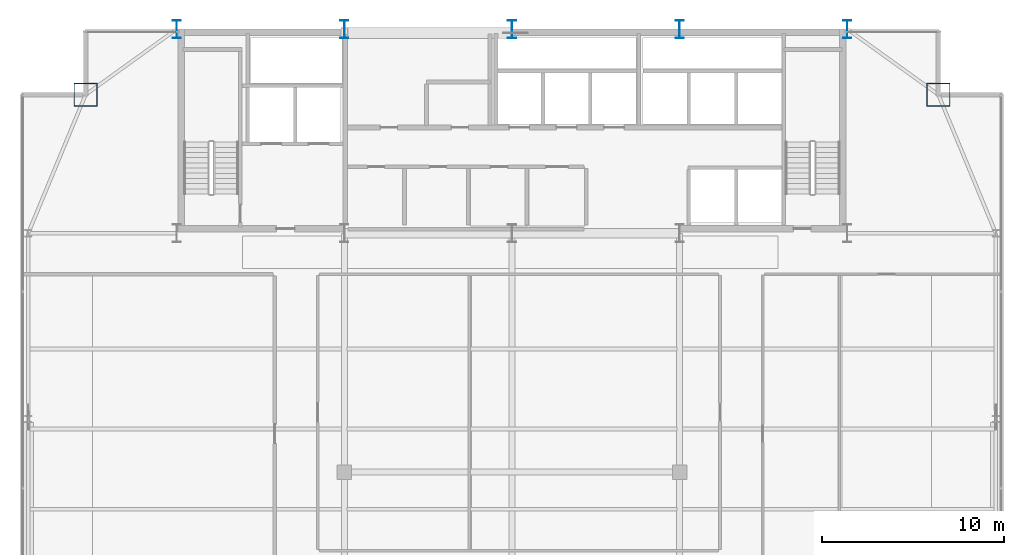
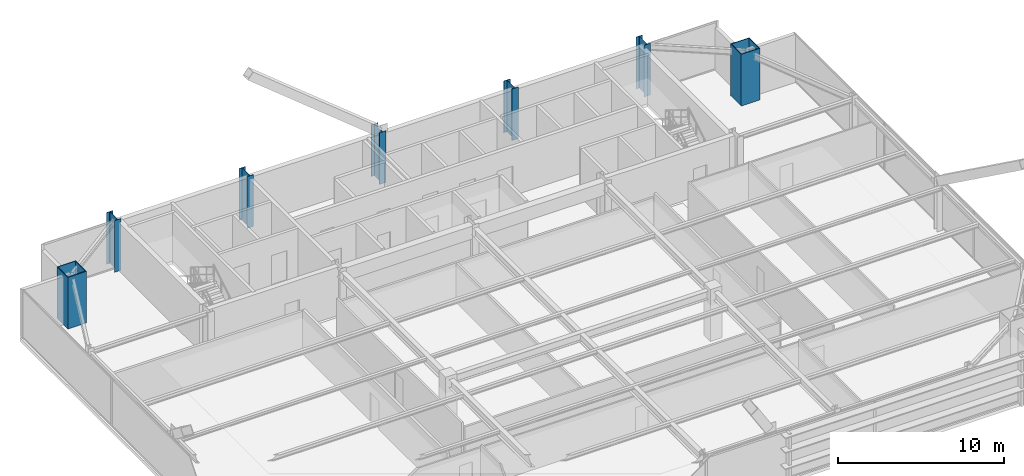
# One storey, part 3 of 30: 7 columns.
"""IFC4 building model written with IfcOpenShell, lengths in metres."""

import ifcopenshell
import ifcopenshell.guid

model = None  # the IFC model being written
_history = None  # IfcOwnerHistory: only IFC2X3 demands one
_inside = {}  # id of a spatial element -> (the spatial element, [elements in it])
_under = {}  # id of a project, library or spatial element -> (it, [spatial elements below it])
_declared = {}  # id of a project -> (the project, [libraries it declares])
_typed = {}  # id of a type object -> (the type object, [elements of that type])
_made_of = {}  # id of a material, layer set ... -> (it, [elements and type objects made of it])


def new_model(schema):
    """Start an empty IFC model of exactly this schema.

    Asked for "IFC4X3", IfcOpenShell would pick the latest addendum, in which some entities
    have other attributes; the version numbers below select the first issue.
    IFC2X3 requires an IfcOwnerHistory on every rooted entity: one is made here for all.
    """
    global model, _history
    if schema == "IFC4X3":
        model = ifcopenshell.file(schema_version=(4, 3, 0, 0))
    else:
        model = ifcopenshell.file(schema=schema)
    _inside.clear()
    _under.clear()
    _declared.clear()
    _typed.clear()
    _made_of.clear()
    _history = None
    if model.schema == "IFC2X3":
        org = make("IfcOrganization", Name="unknown")
        user = make(
            "IfcPersonAndOrganization",
            ThePerson=make("IfcPerson", FamilyName="unknown"),
            TheOrganization=org,
        )
        app = make(
            "IfcApplication",
            ApplicationDeveloper=org,
            Version="unknown",
            ApplicationFullName="unknown",
            ApplicationIdentifier="unknown",
        )
        _history = make(
            "IfcOwnerHistory",
            OwningUser=user,
            OwningApplication=app,
            ChangeAction="ADDED",
            CreationDate=0,
        )
    return model


def make(cls, **values):
    """One entity of the class cls with the attributes given. An attribute that is None is left unset."""
    return model.create_entity(
        cls, **{name: value for name, value in values.items() if value is not None}
    )


def rooted(cls, **values):
    """An entity with a GlobalId (a new one), such as an element, a storey or a relation."""
    return make(cls, GlobalId=ifcopenshell.guid.new(), OwnerHistory=_history, **values)


def si_unit(unit_type, name, prefix=None):
    """IfcSIUnit, for example si_unit("LENGTHUNIT", "METRE", prefix="MILLI")."""
    return make("IfcSIUnit", UnitType=unit_type, Prefix=prefix, Name=name)


def assignment(units):
    """IfcUnitAssignment: the units of a project."""
    return None if units is None else make("IfcUnitAssignment", Units=units)


def point(xyz):
    """IfcCartesianPoint."""
    return None if xyz is None else make("IfcCartesianPoint", Coordinates=xyz)


def direction(xyz):
    """IfcDirection."""
    return None if xyz is None else make("IfcDirection", DirectionRatios=xyz)


def frame(location, z_axis=None, x_axis=None):
    """IfcAxis2Placement3D, a coordinate frame: its origin and axes. An axis left out is left unset."""
    return make(
        "IfcAxis2Placement3D",
        Location=point(location),
        Axis=direction(z_axis),
        RefDirection=direction(x_axis),
    )


def frame_2d(location, x_axis=None):
    """IfcAxis2Placement2D, a coordinate frame in the plane: its origin and x axis."""
    return make(
        "IfcAxis2Placement2D", Location=point(location), RefDirection=direction(x_axis)
    )


def origin():
    """The frame at (0, 0, 0) with its axes left unset."""
    return frame((0.0, 0.0, 0.0))


def origin_2d():
    """The frame at (0, 0) in the plane with its x axis left unset."""
    return frame_2d((0.0, 0.0))


def place(relative_to, where):
    """IfcLocalPlacement: puts the frame where relative to a parent placement (None: the world)."""
    return make(
        "IfcLocalPlacement", PlacementRelTo=relative_to, RelativePlacement=where
    )


def context(
    kind, dimensions, precision=None, world=None, true_north=None, identifier=None
):
    """IfcGeometricRepresentationContext, for example the 3D "Model" context."""
    return make(
        "IfcGeometricRepresentationContext",
        ContextIdentifier=identifier,
        ContextType=kind,
        CoordinateSpaceDimension=dimensions,
        Precision=precision,
        WorldCoordinateSystem=world,
        TrueNorth=true_north,
    )


def subcontext(parent, identifier, kind, view, scale=None):
    """IfcGeometricRepresentationSubContext, for example "Body" below "Model"."""
    return make(
        "IfcGeometricRepresentationSubContext",
        ContextIdentifier=identifier,
        ContextType=kind,
        ParentContext=parent,
        TargetScale=scale,
        TargetView=view,
    )


def project(units=None, contexts=None):
    """IfcProject with its units and contexts."""
    return rooted(
        "IfcProject",
        Name="project",
        RepresentationContexts=contexts,
        UnitsInContext=assignment(units),
    )


def spatial(cls, under=None, at=None, **own):
    """A site, building, storey or space (cls), placed at a placement, below another one or the project."""
    s = rooted(cls, ObjectPlacement=at, **own)
    if under is not None:
        _under.setdefault(under.id(), (under, []))[1].append(s)
    return s


def profile(cls, at=None, kind="AREA", **sizes):
    """A parametric profile (cls). Its sizes go by their IFC names, for example OverallWidth=200.0."""
    return make(cls, ProfileType=kind, Position=at, **sizes)


def hollow_rectangle(**sizes):
    """IfcRectangleHollowProfileDef."""
    return profile("IfcRectangleHollowProfileDef", **sizes)


def i_section(**sizes):
    """IfcIShapeProfileDef."""
    return profile("IfcIShapeProfileDef", **sizes)


def extrude(swept, where, along, depth):
    """IfcExtrudedAreaSolid: the profile swept, set in the frame where, extruded along a direction by depth."""
    return make(
        "IfcExtrudedAreaSolid",
        SweptArea=swept,
        Position=where,
        ExtrudedDirection=direction(along),
        Depth=depth,
    )


def shape(context_of_items, identifier, shape_type, items):
    """IfcShapeRepresentation: the items that make up one representation, for example the "Body"."""
    return make(
        "IfcShapeRepresentation",
        ContextOfItems=context_of_items,
        RepresentationIdentifier=identifier,
        RepresentationType=shape_type,
        Items=items,
    )


def source(mapping_origin, context_of_items, identifier, shape_type, items):
    """IfcRepresentationMap: a shape defined once, which mapped items show again and again."""
    return make(
        "IfcRepresentationMap",
        MappingOrigin=mapping_origin,
        MappedRepresentation=shape(context_of_items, identifier, shape_type, items),
    )


def transform(
    local_origin,
    x_axis=None,
    y_axis=None,
    z_axis=None,
    scale=None,
    scale2=None,
    scale3=None,
    uniform=True,
):
    """IfcCartesianTransformationOperator3D, or its non-uniform kind. x_axis, y_axis, z_axis: its Axis1, 2, 3."""
    if uniform:
        return make(
            "IfcCartesianTransformationOperator3D",
            Axis1=direction(x_axis),
            Axis2=direction(y_axis),
            LocalOrigin=point(local_origin),
            Scale=scale,
            Axis3=direction(z_axis),
        )
    return make(
        "IfcCartesianTransformationOperator3DnonUniform",
        Axis1=direction(x_axis),
        Axis2=direction(y_axis),
        LocalOrigin=point(local_origin),
        Scale=scale,
        Axis3=direction(z_axis),
        Scale2=scale2,
        Scale3=scale3,
    )


def mapped(mapping_source, mapping_target):
    """IfcMappedItem: shows the shape of a source again, moved by a transform."""
    return make(
        "IfcMappedItem", MappingSource=mapping_source, MappingTarget=mapping_target
    )


def material(Name=None, Category=None):
    """IfcMaterial."""
    return make("IfcMaterial", Name=Name, Category=Category)


def material_profile(
    of_material, cross_section, Name=None, Category=None, Priority=None
):
    """IfcMaterialProfile: a cross section and its material."""
    return make(
        "IfcMaterialProfile",
        Name=Name,
        Material=of_material,
        Profile=cross_section,
        Priority=Priority,
        Category=Category,
    )


def profile_set(profiles, Name=None, composite=None):
    """IfcMaterialProfileSet."""
    return make(
        "IfcMaterialProfileSet",
        Name=Name,
        MaterialProfiles=profiles,
        CompositeProfile=composite,
    )


def made_of(thing, what):
    """Note that an element or type object is made of a material, layer set ...; save() writes the relation."""
    if what is not None:
        _made_of.setdefault(what.id(), (what, []))[1].append(thing)
    return thing


def type_object(cls, material=None, **own):
    """A type object (cls), such as IfcWallType, which elements share."""
    return made_of(rooted(cls, **own), material)


def type_shapes(of_type, sources):
    """Give a type object the sources (RepresentationMaps) that its elements show as mapped items."""
    of_type.RepresentationMaps = sources


def element(
    cls,
    number,
    at=None,
    inside=None,
    cuts=None,
    type_object=None,
    material=None,
    context=None,
    identifier="Body",
    shape_type=None,
    held_by="IfcProductDefinitionShape",
    body=None,
    shapes=None,
    **own,
):
    """One element of the class cls, such as IfcWall. Its Tag is "e" and its number.

    at: its placement. inside: the storey or other place that contains it. cuts: it is an
    opening in that element (IfcRelVoidsElement). A single representation is given by context,
    identifier, shape_type and body (its items); several are given by shapes. held_by: the class
    of the entity that holds the representations. save() writes the other relations.
    """
    e = rooted(cls, Tag="e%d" % number, ObjectPlacement=at, **own)
    if body is not None:
        shapes = [shape(context, identifier, shape_type, body)]
    if shapes is not None:
        e.Representation = make(held_by, Representations=shapes)
    if inside is not None:
        _inside.setdefault(inside.id(), (inside, []))[1].append(e)
    if cuts is not None:
        rooted(
            "IfcRelVoidsElement", RelatingBuildingElement=cuts, RelatedOpeningElement=e
        )
    if type_object is not None:
        _typed.setdefault(type_object.id(), (type_object, []))[1].append(e)
    return made_of(e, material)


def aggregate(whole, parts):
    """IfcRelAggregates: a whole, such as a stair, and the parts it consists of."""
    return rooted("IfcRelAggregates", RelatingObject=whole, RelatedObjects=parts)


def save(model, path):
    """Write the relations noted so far, then the file.

    IfcRelAggregates (storeys below a building ...), IfcRelContainedInSpatialStructure (elements
    in a storey), IfcRelDefinesByType, IfcRelAssociatesMaterial and IfcRelDeclares: one each for
    every whole, place, type object, material and project.
    """
    for whole, parts in _under.values():
        aggregate(whole, parts)
    for where, things in _inside.values():
        rooted(
            "IfcRelContainedInSpatialStructure",
            RelatedElements=things,
            RelatingStructure=where,
        )
    for kind, things in _typed.values():
        rooted("IfcRelDefinesByType", RelatedObjects=things, RelatingType=kind)
    for what, things in _made_of.values():
        rooted("IfcRelAssociatesMaterial", RelatedObjects=things, RelatingMaterial=what)
    for by, libraries in _declared.values():
        rooted("IfcRelDeclares", RelatingContext=by, RelatedDefinitions=libraries)
    model.write(path)


model = new_model("IFC4")

# Units and contexts
model_context = context("Model", 3, precision=1e-05, world=origin(), true_north=direction((0.0, 1.0)))
body_context = subcontext(model_context, "Body", "Model", "MODEL_VIEW")
ifc_project = project(units=[si_unit("LENGTHUNIT", "METRE"), si_unit("AREAUNIT", "SQUARE_METRE"), si_unit("VOLUMEUNIT", "CUBIC_METRE"), si_unit("PLANEANGLEUNIT", "RADIAN"), si_unit("MASSUNIT", "GRAM", prefix="KILO")], contexts=[model_context])

# Site, building, storey
site_placement = place(None, origin())
site = spatial("IfcSite", under=ifc_project, at=site_placement, CompositionType="ELEMENT")
building_placement = place(site_placement, origin())
building = spatial("IfcBuilding", under=site, at=building_placement, Name="Varnel Quay Broadcast Tower", CompositionType="ELEMENT")
storey_placement = place(building_placement, frame((0.0, 0.0, 149.60009765625)))
storey = spatial("IfcBuildingStorey", under=building, at=storey_placement, Name="L36", CompositionType="ELEMENT", Elevation=149.60009765625)

# Columns
ifc_material = material(Name="Structural Steel CSA G40.21 350WT", Category="steel")
ifc_material_profile_1 = material_profile(ifc_material, i_section(OverallWidth=0.449951171875, OverallDepth=1.0, WebThickness=0.01611328125, FlangeThickness=0.030029296875, FilletRadius=0.01611328125, at=origin_2d()), Name="WWF1000X362")
ifc_profile_set_1 = profile_set([ifc_material_profile_1], Name="Structural Steel CSA G40.21 350WT")
column_type_1 = type_object("IfcColumnType", Name="Col_WWF1000X362", PredefinedType="COLUMN", material=ifc_profile_set_1)
shared_shape_1 = source(origin(), body_context, "Body", "SweptSolid", [
    extrude(i_section(OverallWidth=0.449951171875, OverallDepth=1.0, WebThickness=0.01611328125, FlangeThickness=0.030029296875, FilletRadius=0.01611328125, at=origin_2d()), origin(), (0.0, 0.0, 1.0), 3.7998046875),
])
type_shapes(column_type_1, [shared_shape_1])
for number, where, z_axis, x_axis, name in (
    (1, (15.60009765625, 46.800048828125, 0.0), (0.0, 0.0, 1.0), (1.0, 0.0, 0.0), "L36 Column CC-N1"),
    (2, (24.800048828125, 46.800048828125, 0.0), (0.0, 0.0, 1.0), (1.0, 0.0, 0.0), "L36 Column CC-N2"),
    (3, (34.0, 46.800048828125, 0.0), (0.0, 0.0, 1.0), (1.0, 0.0, 0.0), "L36 Column CC-N3"),
    (4, (43.199951171875, 46.800048828125, 0.0), (0.0, 0.0, 1.0), (1.0, 0.0, 0.0), "L36 Column CC-N4"),
    (5, (52.39990234375, 46.800048828125, 0.0), (0.0, 0.0, 1.0), (1.0, 0.0, 0.0), "L36 Column CC-N5"),
):
    element("IfcColumn", number, at=place(storey_placement, frame(where, z_axis=z_axis, x_axis=x_axis)), inside=storey, type_object=column_type_1, Name=name, PredefinedType="COLUMN", context=body_context, shape_type="MappedRepresentation", body=[
        mapped(shared_shape_1, transform((0.0, 0.0, 0.0), x_axis=(1.0, 0.0, 0.0), y_axis=(0.0, 1.0, 0.0), z_axis=(0.0, 0.0, 1.0), scale=1.0)),
    ])
ifc_material_profile_2 = material_profile(ifc_material, hollow_rectangle(XDim=1.300048828125, YDim=1.300048828125, WallThickness=0.050048828125, at=origin_2d()), Name="BOX1300X1300X50")
ifc_profile_set_2 = profile_set([ifc_material_profile_2], Name="Structural Steel CSA G40.21 350WT")
column_type_2 = type_object("IfcColumnType", Name="Col_BOX1300X1300X50", PredefinedType="COLUMN", material=ifc_profile_set_2)
shared_shape_2 = source(origin(), body_context, "Body", "SweptSolid", [
    extrude(hollow_rectangle(XDim=1.300048828125, YDim=1.300048828125, WallThickness=0.050048828125, at=origin_2d()), origin(), (0.0, 0.0, 1.0), 3.7998046875),
])
type_shapes(column_type_2, [shared_shape_2])
for number, where, z_axis, x_axis, name in (
    (6, (57.39990234375, 43.199951171875, 0.0), (0.0, 0.0, 1.0), (1.0, 0.0, 0.0), "L36 Column MC-NE"),
    (7, (10.60009765625, 43.199951171875, 0.0), (0.0, 0.0, 1.0), (1.0, 0.0, 0.0), "L36 Column MC-NW"),
):
    element("IfcColumn", number, at=place(storey_placement, frame(where, z_axis=z_axis, x_axis=x_axis)), inside=storey, type_object=column_type_2, Name=name, PredefinedType="COLUMN", context=body_context, shape_type="MappedRepresentation", body=[
        mapped(shared_shape_2, transform((0.0, 0.0, 0.0), x_axis=(1.0, 0.0, 0.0), y_axis=(0.0, 1.0, 0.0), z_axis=(0.0, 0.0, 1.0), scale=1.0)),
    ])

save(model, "model.ifc")
